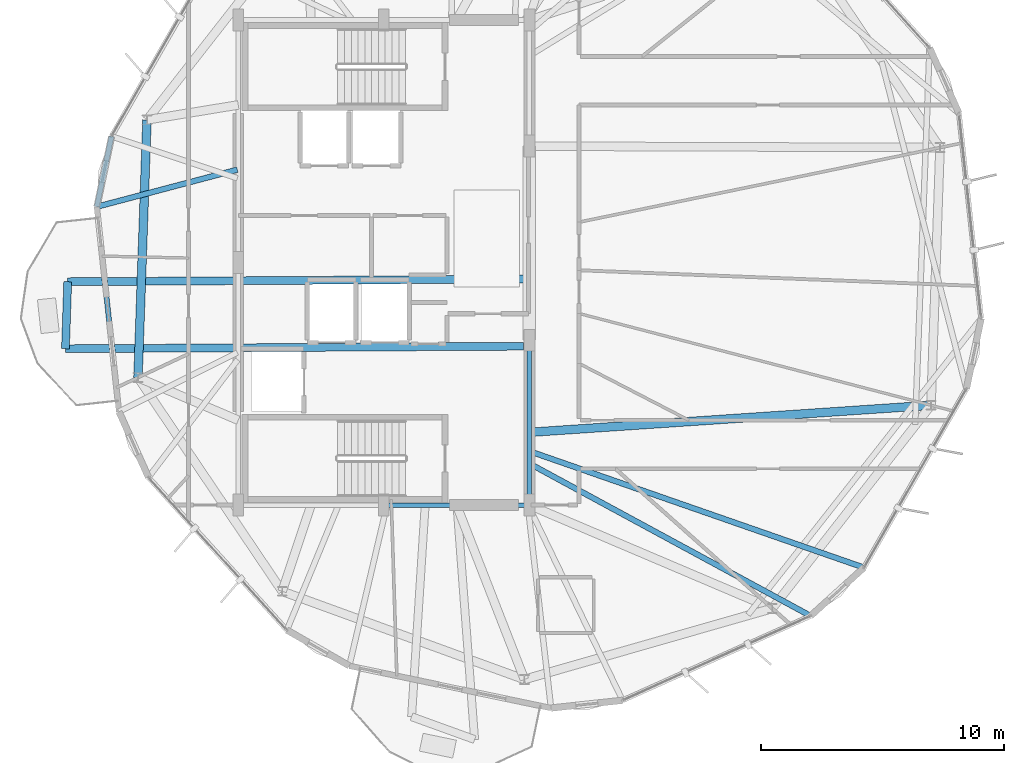
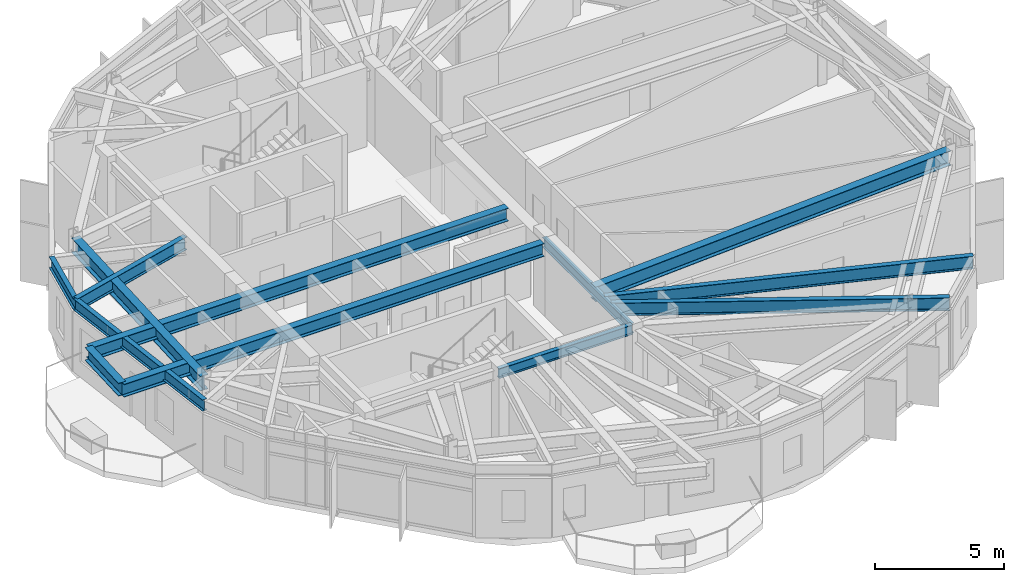
# One storey, part 7 of 23: 12 beams.
"""IFC4 building model written with IfcOpenShell, lengths in metres."""

from ifc_helpers import new_model, si_unit, direction, frame, origin, origin_2d, place, context, subcontext, project, spatial, i_section, extrude, material, material_profile, profile_set, type_object, element, save


model = new_model("IFC4")

# Units and contexts
model_context = context("Model", 3, precision=1e-05, world=origin(), true_north=direction((0.0, 1.0)))
body_context = subcontext(model_context, "Body", "Model", "MODEL_VIEW")
ifc_project = project(units=[si_unit("LENGTHUNIT", "METRE"), si_unit("AREAUNIT", "SQUARE_METRE"), si_unit("VOLUMEUNIT", "CUBIC_METRE"), si_unit("PLANEANGLEUNIT", "RADIAN"), si_unit("MASSUNIT", "GRAM", prefix="KILO")], contexts=[model_context])

# Site, building, storey
site_placement = place(None, origin())
site = spatial("IfcSite", under=ifc_project, at=site_placement, CompositionType="ELEMENT")
building_placement = place(site_placement, origin())
building = spatial("IfcBuilding", under=site, at=building_placement, Name="Soratama Intermodal Tower", CompositionType="ELEMENT")
storey_placement = place(building_placement, frame((0.0, 0.0, 253.75)))
storey = spatial("IfcBuildingStorey", under=building, at=storey_placement, Name="L64", CompositionType="ELEMENT", Elevation=253.75)

# Beams
ifc_material_1 = material(Name="Structural steel ASTM A992 Grade 50", Category="steel")
ifc_material_profile_1 = material_profile(ifc_material_1, i_section(OverallWidth=0.324951171875, OverallDepth=0.615966796875, WebThickness=0.013916015625, FlangeThickness=0.021484375, FilletRadius=0.013916015625, at=origin_2d()), Name="W24X117")
ifc_profile_set_1 = profile_set([ifc_material_profile_1], Name="Structural steel ASTM A992 Grade 50")
beam_type_1 = type_object("IfcBeamType", Name="BM-CANT-W24X117", PredefinedType="BEAM", material=ifc_profile_set_1)
beam_1_placement = place(storey_placement, frame((25.569091796875, 24.2109375, 3.14208984375), z_axis=(-0.033635228417, -0.999434175626, 0.0), x_axis=(0.999434175626, -0.033635228417, 0.0)))
element("IfcBeam", 1, at=beam_1_placement, inside=storey, type_object=beam_type_1, Name="BM-L64-CBHDR-2", PredefinedType="BEAM", context=body_context, shape_type="SweptSolid", body=[
    extrude(i_section(OverallWidth=0.324951171875, OverallDepth=0.615966796875, WebThickness=0.013916015625, FlangeThickness=0.021484375, FilletRadius=0.013916015625, at=origin_2d()), origin(), (0.0, 0.0, 1.0), 2.765380859375),
])
beam_2_placement = place(storey_placement, frame((44.364990234375, 24.318115234375, 3.14208984375), z_axis=(-0.999983742926, -0.005702094653, 0.0), x_axis=(0.005702094653, -0.999983742926, 0.0)))
element("IfcBeam", 2, at=beam_2_placement, inside=storey, type_object=beam_type_1, Name="BM-L64-CANT-2-1", PredefinedType="BEAM", context=body_context, shape_type="SweptSolid", body=[
    extrude(i_section(OverallWidth=0.324951171875, OverallDepth=0.615966796875, WebThickness=0.013916015625, FlangeThickness=0.021484375, FilletRadius=0.013916015625, at=origin_2d()), origin(), (0.0, 0.0, 1.0), 18.796142578125),
])
beam_3_placement = place(storey_placement, frame((44.364990234375, 21.551025390625, 3.14208984375), z_axis=(-0.999984841879, -0.005505997785, 0.0), x_axis=(0.005505997785, -0.999984841879, 0.0)))
element("IfcBeam", 3, at=beam_3_placement, inside=storey, type_object=beam_type_1, Name="BM-L64-CANT-2-2", PredefinedType="BEAM", context=body_context, shape_type="SweptSolid", body=[
    extrude(i_section(OverallWidth=0.324951171875, OverallDepth=0.615966796875, WebThickness=0.013916015625, FlangeThickness=0.021484375, FilletRadius=0.013916015625, at=origin_2d()), origin(), (0.0, 0.0, 1.0), 18.88916015625),
])
ifc_material_2 = material(Name="Structural steel ASTM A992 Grade 50", Category="steel")
ifc_material_profile_2 = material_profile(ifc_material_2, i_section(OverallWidth=0.19091796875, OverallDepth=0.4599609375, WebThickness=0.010009765625, FlangeThickness=0.01611328125, FilletRadius=0.010986328125, at=origin_2d()), Name="W18X55")
ifc_profile_set_2 = profile_set([ifc_material_profile_2], Name="Structural steel ASTM A992 Grade 50")
beam_type_2 = type_object("IfcBeamType", Name="BM-FLR-W18X55", PredefinedType="BEAM", material=ifc_profile_set_2)
beam_4_placement = place(storey_placement, frame((38.60009765625, 15.0, 3.219970703125), z_axis=(1.0, 0.0, 0.0), x_axis=(0.0, 1.0, 0.0)))
element("IfcBeam", 4, at=beam_4_placement, inside=storey, type_object=beam_type_2, Name="BM-L64-CRING-02", PredefinedType="BEAM", context=body_context, shape_type="SweptSolid", body=[
    extrude(i_section(OverallWidth=0.19091796875, OverallDepth=0.4599609375, WebThickness=0.010009765625, FlangeThickness=0.01611328125, FilletRadius=0.010986328125, at=origin_2d()), origin(), (0.0, 0.0, 1.0), 6.0),
])
beam_5_placement = place(storey_placement, frame((44.60009765625, 15.0, 3.219970703125), z_axis=(0.0, 1.0, 0.0), x_axis=(-1.0, 0.0, 0.0)))
element("IfcBeam", 5, at=beam_5_placement, inside=storey, type_object=beam_type_2, Name="BM-L64-CRING-03", PredefinedType="BEAM", context=body_context, shape_type="SweptSolid", body=[
    extrude(i_section(OverallWidth=0.19091796875, OverallDepth=0.4599609375, WebThickness=0.010009765625, FlangeThickness=0.01611328125, FilletRadius=0.010986328125, at=origin_2d()), origin(), (0.0, 0.0, 1.0), 6.800048828125),
])
ifc_material_3 = material(Name="Structural steel ASTM A992 Grade 50", Category="steel")
ifc_material_profile_3 = material_profile(ifc_material_3, i_section(OverallWidth=0.35498046875, OverallDepth=0.695068359375, WebThickness=0.015380859375, FlangeThickness=0.02490234375, FilletRadius=0.01611328125, at=origin_2d()), Name="W27X146")
ifc_profile_set_3 = profile_set([ifc_material_profile_3], Name="Structural steel ASTM A992 Grade 50")
beam_type_3 = type_object("IfcBeamType", Name="BM-RING-W27X146", PredefinedType="BEAM", material=ifc_profile_set_3)
beam_6_placement = place(storey_placement, frame((28.8369140625, 30.883056640625, 3.1025390625), z_axis=(-0.034885453879, -0.999391317307, 0.0), x_axis=(0.999391317307, -0.034885453879, 0.0)))
element("IfcBeam", 6, at=beam_6_placement, inside=storey, type_object=beam_type_3, Name="BM-L64-RING-05", PredefinedType="BEAM", context=body_context, shape_type="SweptSolid", body=[
    extrude(i_section(OverallWidth=0.35498046875, OverallDepth=0.695068359375, WebThickness=0.015380859375, FlangeThickness=0.02490234375, FilletRadius=0.01611328125, at=origin_2d()), origin(), (0.0, 0.0, 1.0), 10.630615234375),
])
beam_7_placement = place(storey_placement, frame((44.60009765625, 18.0, 3.1025390625), z_axis=(0.997733912176, 0.067283285401, 0.0), x_axis=(-0.067283285401, 0.997733912176, 0.0)))
element("IfcBeam", 7, at=beam_7_placement, inside=storey, type_object=beam_type_3, Name="BM-L64-RAD-10", PredefinedType="BEAM", context=body_context, shape_type="SweptSolid", body=[
    extrude(i_section(OverallWidth=0.35498046875, OverallDepth=0.695068359375, WebThickness=0.015380859375, FlangeThickness=0.02490234375, FilletRadius=0.01611328125, at=origin_2d()), origin(), (0.0, 0.0, 1.0), 16.6005859375),
])
ifc_material_4 = material(Name="Structural steel ASTM A992 Grade 50", Category="steel")
ifc_material_profile_4 = material_profile(ifc_material_4, i_section(OverallWidth=0.2099609375, OverallDepth=0.537109375, WebThickness=0.010986328125, FlangeThickness=0.017333984375, FilletRadius=0.012939453125, at=origin_2d()), Name="W21X68")
ifc_profile_set_4 = profile_set([ifc_material_profile_4], Name="Structural steel ASTM A992 Grade 50")
beam_type_4 = type_object("IfcBeamType", Name="BM-SPN-W21X68", PredefinedType="SPANDREL", material=ifc_profile_set_4)
beam_8_placement = place(storey_placement, frame((27.3740234375, 30.2041015625, 3.181396484375), z_axis=(-0.204575297496, -0.978850830134, 0.0), x_axis=(0.978850830134, -0.204575297496, 0.0)))
element("IfcBeam", 8, at=beam_8_placement, inside=storey, type_object=beam_type_4, Name="BS-L64-CRN03", PredefinedType="SPANDREL", context=body_context, shape_type="SweptSolid", body=[
    extrude(i_section(OverallWidth=0.2099609375, OverallDepth=0.537109375, WebThickness=0.010986328125, FlangeThickness=0.017333984375, FilletRadius=0.012939453125, at=origin_2d()), origin(), (0.0, 0.0, 1.0), 2.966796875),
])
beam_9_placement = place(storey_placement, frame((26.76708984375, 27.300048828125, 3.181396484375), z_axis=(0.107631479861, -0.994190859213, 0.0), x_axis=(0.994190859213, 0.107631479861, 0.0)))
element("IfcBeam", 9, at=beam_9_placement, inside=storey, type_object=beam_type_4, Name="BS-L64-F04", PredefinedType="SPANDREL", context=body_context, shape_type="SweptSolid", body=[
    extrude(i_section(OverallWidth=0.2099609375, OverallDepth=0.537109375, WebThickness=0.010986328125, FlangeThickness=0.017333984375, FilletRadius=0.012939453125, at=origin_2d()), origin(), (0.0, 0.0, 1.0), 8.499267578125),
])
ifc_material_5 = material(Name="Structural steel ASTM A992 Grade 50", Category="steel")
ifc_material_profile_5 = material_profile(ifc_material_5, i_section(OverallWidth=0.22900390625, OverallDepth=0.612060546875, WebThickness=0.011962890625, FlangeThickness=0.01953125, FilletRadius=0.012939453125, at=origin_2d()), Name="W24X84")
ifc_profile_set_5 = profile_set([ifc_material_profile_5], Name="Structural steel ASTM A992 Grade 50")
beam_type_5 = type_object("IfcBeamType", Name="BM-TIE-W24X84", PredefinedType="BEAM", material=ifc_profile_set_5)
beam_10_placement = place(storey_placement, frame((32.56103515625, 28.83203125, 3.14404296875), z_axis=(-0.966775732058, -0.255626062644, 0.0), x_axis=(0.255626062644, -0.966775732058, 0.0)))
element("IfcBeam", 10, at=beam_10_placement, inside=storey, type_object=beam_type_5, Name="BM-L64-TIE0-04", PredefinedType="BEAM", context=body_context, shape_type="SweptSolid", body=[
    extrude(i_section(OverallWidth=0.22900390625, OverallDepth=0.612060546875, WebThickness=0.011962890625, FlangeThickness=0.01953125, FilletRadius=0.012939453125, at=origin_2d()), origin(), (0.0, 0.0, 1.0), 5.9931640625),
])
beam_11_placement = place(storey_placement, frame((44.635009765625, 16.696044921875, 3.14404296875), z_axis=(0.879252452291, -0.476356090693, 0.0), x_axis=(0.476356090693, 0.879252452291, 0.0)))
element("IfcBeam", 11, at=beam_11_placement, inside=storey, type_object=beam_type_5, Name="BM-L64-TIE1-07", PredefinedType="BEAM", context=body_context, shape_type="SweptSolid", body=[
    extrude(i_section(OverallWidth=0.22900390625, OverallDepth=0.612060546875, WebThickness=0.011962890625, FlangeThickness=0.01953125, FilletRadius=0.012939453125, at=origin_2d()), origin(), (0.0, 0.0, 1.0), 13.154296875),
])
beam_12_placement = place(storey_placement, frame((44.637939453125, 17.2109375, 3.14404296875), z_axis=(0.944445924328, -0.328666846548, 0.0), x_axis=(0.328666846548, 0.944445924328, 0.0)))
element("IfcBeam", 12, at=beam_12_placement, inside=storey, type_object=beam_type_5, Name="BM-L64-TIE0-08", PredefinedType="BEAM", context=body_context, shape_type="SweptSolid", body=[
    extrude(i_section(OverallWidth=0.22900390625, OverallDepth=0.612060546875, WebThickness=0.011962890625, FlangeThickness=0.01953125, FilletRadius=0.012939453125, at=origin_2d()), origin(), (0.0, 0.0, 1.0), 14.5703125),
])

save(model, "model.ifc")
